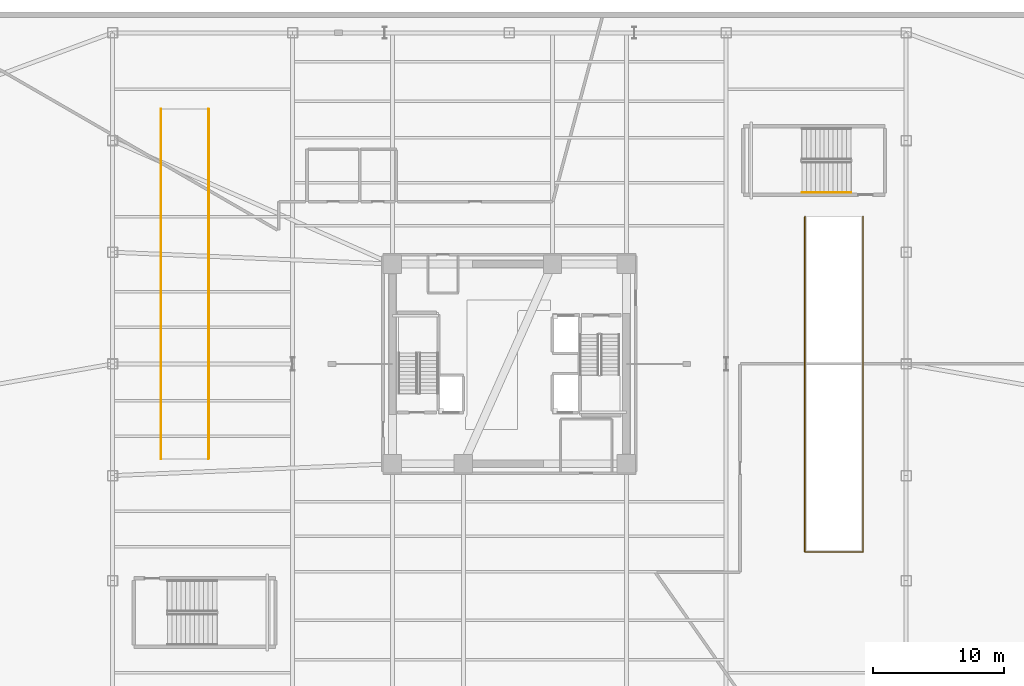
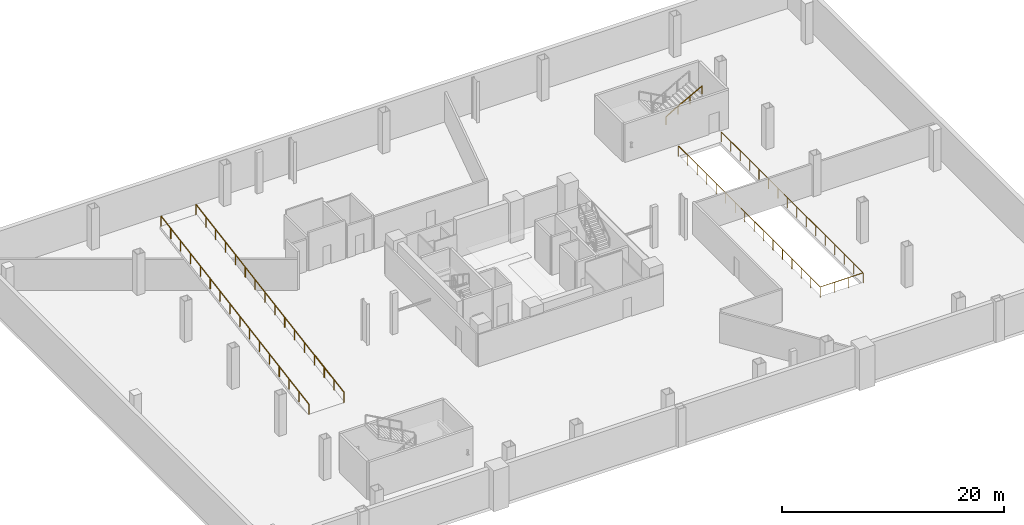
# One storey, part 13 of 14: 4 railings.
"""IFC4 building model written with IfcOpenShell, lengths in metres."""

from ifc_helpers import new_model, si_unit, direction, frame, origin, origin_2d, place, context, subcontext, project, spatial, rectangle, extrude, material, type_object, element, save


model = new_model("IFC4")

# Units and contexts
model_context = context("Model", 3, precision=1e-05, world=origin(), true_north=direction((0.0, 1.0)))
body_context = subcontext(model_context, "Body", "Model", "MODEL_VIEW")
ifc_project = project(units=[si_unit("LENGTHUNIT", "METRE"), si_unit("AREAUNIT", "SQUARE_METRE"), si_unit("VOLUMEUNIT", "CUBIC_METRE"), si_unit("PLANEANGLEUNIT", "RADIAN"), si_unit("MASSUNIT", "GRAM", prefix="KILO")], contexts=[model_context])

# Site, building, storey
site_placement = place(None, origin())
site = spatial("IfcSite", under=ifc_project, at=site_placement, CompositionType="ELEMENT")
building_placement = place(site_placement, origin())
building = spatial("IfcBuilding", under=site, at=building_placement, Name="Tharavind Bronze Gate", CompositionType="ELEMENT")
storey_placement = place(building_placement, frame((0.0, 0.0, -4.5)))
storey = spatial("IfcBuildingStorey", under=building, at=storey_placement, Name="B01", CompositionType="ELEMENT", Elevation=-4.5)

# Railings
ifc_material_1 = material(Name="Brushed Bronze Alloy", Category="metal")
railing_type_1 = type_object("IfcRailingType", Name="STAIR BRONZE HANDRAIL 900", PredefinedType="HANDRAIL", material=ifc_material_1)
railing_1_placement = place(storey_placement, frame((22.260009765625, 13.050048828125, 2.4375)))
element("IfcRailing", 1, at=railing_1_placement, inside=storey, type_object=railing_type_1, Name="B01 ST4 stair handrail 2", PredefinedType="HANDRAIL", context=body_context, shape_type="SweptSolid", body=[
    extrude(rectangle(XDim=0.048095703125, YDim=0.048095703125, at=origin_2d()), frame((0.028076171875, 0.0, 0.891357421875), z_axis=(0.875671045107, 0.0, 0.482908087281), x_axis=(0.0, 1.0, 0.0)), (0.0, 0.0, 1.0), 4.20703125),
    extrude(rectangle(XDim=0.0400390625, YDim=0.0400390625, at=origin_2d()), origin(), (0.0, 0.0, 1.0), 0.847900390625),
    extrude(rectangle(XDim=0.0400390625, YDim=0.0400390625, at=origin_2d()), frame((1.24658203125, 0.0, 0.6875)), (0.0, 0.0, 1.0), 0.847900390625),
    extrude(rectangle(XDim=0.0400390625, YDim=0.0400390625, at=origin_2d()), frame((2.493408203125, 0.0, 1.375)), (0.0, 0.0, 1.0), 0.847900390625),
    extrude(rectangle(XDim=0.0400390625, YDim=0.0400390625, at=origin_2d()), frame((3.739990234375, 0.0, 2.0625)), (0.0, 0.0, 1.0), 0.847900390625),
])
ifc_material_2 = material(Name="Bronze Cap & Laminated Glass", Category="glass")
railing_type_2 = type_object("IfcRailingType", Name="TERRACE GLASS GUARD RAILING 1150", PredefinedType="GUARDRAIL", material=ifc_material_2)
railing_2_placement = place(storey_placement, frame((-26.52001953125, -7.219970703125, 0.0)))
element("IfcRailing", 2, at=railing_2_placement, inside=storey, type_object=railing_type_2, Name="Service ramp R1 west flight guard railing", PredefinedType="GUARDRAIL", context=body_context, shape_type="SweptSolid", body=[
    extrude(rectangle(XDim=0.048095703125, YDim=0.048095703125, at=origin_2d()), frame((0.0, 0.031494140625, 1.131103515625), z_axis=(0.0, 0.986010739245, 0.166681798925), x_axis=(-1.0, 0.0, 0.0)), (0.0, 0.0, 1.0), 26.93359375),
    extrude(rectangle(XDim=0.0400390625, YDim=0.0400390625, at=origin_2d()), origin(), (0.0, 0.0, 1.0), 1.097900390625),
    extrude(rectangle(XDim=0.0400390625, YDim=0.0400390625, at=origin_2d()), frame((0.0, 1.774658203125, 0.300048828125)), (0.0, 0.0, 1.0), 1.097900390625),
    extrude(rectangle(XDim=0.0400390625, YDim=0.0400390625, at=origin_2d()), frame((0.0, 3.54931640625, 0.60009765625)), (0.0, 0.0, 1.0), 1.097900390625),
    extrude(rectangle(XDim=0.0400390625, YDim=0.0400390625, at=origin_2d()), frame((0.0, 5.323974609375, 0.89990234375)), (0.0, 0.0, 1.0), 1.097900390625),
    extrude(rectangle(XDim=0.0400390625, YDim=0.0400390625, at=origin_2d()), frame((0.0, 7.0986328125, 1.199951171875)), (0.0, 0.0, 1.0), 1.097900390625),
    extrude(rectangle(XDim=0.0400390625, YDim=0.0400390625, at=origin_2d()), frame((0.0, 8.873291015625, 1.5)), (0.0, 0.0, 1.0), 1.097900390625),
    extrude(rectangle(XDim=0.0400390625, YDim=0.0400390625, at=origin_2d()), frame((0.0, 10.64794921875, 1.800048828125)), (0.0, 0.0, 1.0), 1.097900390625),
    extrude(rectangle(XDim=0.0400390625, YDim=0.0400390625, at=origin_2d()), frame((0.0, 12.422607421875, 2.10009765625)), (0.0, 0.0, 1.0), 1.097900390625),
    extrude(rectangle(XDim=0.0400390625, YDim=0.0400390625, at=origin_2d()), frame((0.0, 14.197265625, 2.39990234375)), (0.0, 0.0, 1.0), 1.097900390625),
    extrude(rectangle(XDim=0.0400390625, YDim=0.0400390625, at=origin_2d()), frame((0.0, 15.971923828125, 2.699951171875)), (0.0, 0.0, 1.0), 1.097900390625),
    extrude(rectangle(XDim=0.0400390625, YDim=0.0400390625, at=origin_2d()), frame((0.0, 17.74658203125, 3.0)), (0.0, 0.0, 1.0), 1.097900390625),
    extrude(rectangle(XDim=0.0400390625, YDim=0.0400390625, at=origin_2d()), frame((0.0, 19.521240234375, 3.300048828125)), (0.0, 0.0, 1.0), 1.097900390625),
    extrude(rectangle(XDim=0.0400390625, YDim=0.0400390625, at=origin_2d()), frame((0.0, 21.2958984375, 3.60009765625)), (0.0, 0.0, 1.0), 1.097900390625),
    extrude(rectangle(XDim=0.0400390625, YDim=0.0400390625, at=origin_2d()), frame((0.0, 23.070556640625, 3.89990234375)), (0.0, 0.0, 1.0), 1.097900390625),
    extrude(rectangle(XDim=0.0400390625, YDim=0.0400390625, at=origin_2d()), frame((0.0, 24.84521484375, 4.199951171875)), (0.0, 0.0, 1.0), 1.097900390625),
    extrude(rectangle(XDim=0.0400390625, YDim=0.0400390625, at=origin_2d()), frame((0.0, 26.619873046875, 4.5)), (0.0, 0.0, 1.0), 1.097900390625),
])
railing_3_placement = place(storey_placement, frame((-22.8798828125, -7.219970703125, 0.0)))
element("IfcRailing", 3, at=railing_3_placement, inside=storey, type_object=railing_type_2, Name="Service ramp R1 east flight guard railing", PredefinedType="GUARDRAIL", context=body_context, shape_type="SweptSolid", body=[
    extrude(rectangle(XDim=0.048095703125, YDim=0.048095703125, at=origin_2d()), frame((0.0, 0.031494140625, 1.131103515625), z_axis=(0.0, 0.986010739245, 0.166681798925), x_axis=(-1.0, 0.0, 0.0)), (0.0, 0.0, 1.0), 26.93359375),
    extrude(rectangle(XDim=0.0400390625, YDim=0.0400390625, at=origin_2d()), origin(), (0.0, 0.0, 1.0), 1.097900390625),
    extrude(rectangle(XDim=0.0400390625, YDim=0.0400390625, at=origin_2d()), frame((0.0, 1.774658203125, 0.300048828125)), (0.0, 0.0, 1.0), 1.097900390625),
    extrude(rectangle(XDim=0.0400390625, YDim=0.0400390625, at=origin_2d()), frame((0.0, 3.54931640625, 0.60009765625)), (0.0, 0.0, 1.0), 1.097900390625),
    extrude(rectangle(XDim=0.0400390625, YDim=0.0400390625, at=origin_2d()), frame((0.0, 5.323974609375, 0.89990234375)), (0.0, 0.0, 1.0), 1.097900390625),
    extrude(rectangle(XDim=0.0400390625, YDim=0.0400390625, at=origin_2d()), frame((0.0, 7.0986328125, 1.199951171875)), (0.0, 0.0, 1.0), 1.097900390625),
    extrude(rectangle(XDim=0.0400390625, YDim=0.0400390625, at=origin_2d()), frame((0.0, 8.873291015625, 1.5)), (0.0, 0.0, 1.0), 1.097900390625),
    extrude(rectangle(XDim=0.0400390625, YDim=0.0400390625, at=origin_2d()), frame((0.0, 10.64794921875, 1.800048828125)), (0.0, 0.0, 1.0), 1.097900390625),
    extrude(rectangle(XDim=0.0400390625, YDim=0.0400390625, at=origin_2d()), frame((0.0, 12.422607421875, 2.10009765625)), (0.0, 0.0, 1.0), 1.097900390625),
    extrude(rectangle(XDim=0.0400390625, YDim=0.0400390625, at=origin_2d()), frame((0.0, 14.197265625, 2.39990234375)), (0.0, 0.0, 1.0), 1.097900390625),
    extrude(rectangle(XDim=0.0400390625, YDim=0.0400390625, at=origin_2d()), frame((0.0, 15.971923828125, 2.699951171875)), (0.0, 0.0, 1.0), 1.097900390625),
    extrude(rectangle(XDim=0.0400390625, YDim=0.0400390625, at=origin_2d()), frame((0.0, 17.74658203125, 3.0)), (0.0, 0.0, 1.0), 1.097900390625),
    extrude(rectangle(XDim=0.0400390625, YDim=0.0400390625, at=origin_2d()), frame((0.0, 19.521240234375, 3.300048828125)), (0.0, 0.0, 1.0), 1.097900390625),
    extrude(rectangle(XDim=0.0400390625, YDim=0.0400390625, at=origin_2d()), frame((0.0, 21.2958984375, 3.60009765625)), (0.0, 0.0, 1.0), 1.097900390625),
    extrude(rectangle(XDim=0.0400390625, YDim=0.0400390625, at=origin_2d()), frame((0.0, 23.070556640625, 3.89990234375)), (0.0, 0.0, 1.0), 1.097900390625),
    extrude(rectangle(XDim=0.0400390625, YDim=0.0400390625, at=origin_2d()), frame((0.0, 24.84521484375, 4.199951171875)), (0.0, 0.0, 1.0), 1.097900390625),
    extrude(rectangle(XDim=0.0400390625, YDim=0.0400390625, at=origin_2d()), frame((0.0, 26.619873046875, 4.5)), (0.0, 0.0, 1.0), 1.097900390625),
])
railing_4_placement = place(storey_placement, frame((22.47998046875, 11.199951171875, 0.0)))
element("IfcRailing", 4, at=railing_4_placement, inside=storey, type_object=railing_type_2, Name="B01 plant ramp well perimeter guard railing", PredefinedType="GUARDRAIL", context=body_context, shape_type="SweptSolid", body=[
    extrude(rectangle(XDim=0.048095703125, YDim=0.048095703125, at=origin_2d()), frame((0.0, -0.031982421875, 1.1259765625), z_axis=(0.0, -1.0, 0.0), x_axis=(1.0, 0.0, 0.0)), (0.0, 0.0, 1.0), 25.4560546875),
    extrude(rectangle(XDim=0.048095703125, YDim=0.048095703125, at=origin_2d()), frame((0.031982421875, -25.52001953125, 1.1259765625), z_axis=(1.0, 0.0, 0.0), x_axis=(0.0, 1.0, 0.0)), (0.0, 0.0, 1.0), 4.3759765625),
    extrude(rectangle(XDim=0.048095703125, YDim=0.048095703125, at=origin_2d()), frame((4.43994140625, -25.488037109375, 1.1259765625), z_axis=(0.0, 1.0, 0.0), x_axis=(-1.0, 0.0, 0.0)), (0.0, 0.0, 1.0), 25.4560546875),
    extrude(rectangle(XDim=0.0400390625, YDim=0.0400390625, at=origin_2d()), origin(), (0.0, 0.0, 1.0), 1.097900390625),
    extrude(rectangle(XDim=0.0400390625, YDim=0.0400390625, at=origin_2d()), frame((0.0, -1.701416015625, 0.0)), (0.0, 0.0, 1.0), 1.097900390625),
    extrude(rectangle(XDim=0.0400390625, YDim=0.0400390625, at=origin_2d()), frame((0.0, -3.402587890625, 0.0)), (0.0, 0.0, 1.0), 1.097900390625),
    extrude(rectangle(XDim=0.0400390625, YDim=0.0400390625, at=origin_2d()), frame((0.0, -5.10400390625, 0.0)), (0.0, 0.0, 1.0), 1.097900390625),
    extrude(rectangle(XDim=0.0400390625, YDim=0.0400390625, at=origin_2d()), frame((0.0, -6.805419921875, 0.0)), (0.0, 0.0, 1.0), 1.097900390625),
    extrude(rectangle(XDim=0.0400390625, YDim=0.0400390625, at=origin_2d()), frame((0.0, -8.506591796875, 0.0)), (0.0, 0.0, 1.0), 1.097900390625),
    extrude(rectangle(XDim=0.0400390625, YDim=0.0400390625, at=origin_2d()), frame((0.0, -10.2080078125, 0.0)), (0.0, 0.0, 1.0), 1.097900390625),
    extrude(rectangle(XDim=0.0400390625, YDim=0.0400390625, at=origin_2d()), frame((0.0, -11.909423828125, 0.0)), (0.0, 0.0, 1.0), 1.097900390625),
    extrude(rectangle(XDim=0.0400390625, YDim=0.0400390625, at=origin_2d()), frame((0.0, -13.610595703125, 0.0)), (0.0, 0.0, 1.0), 1.097900390625),
    extrude(rectangle(XDim=0.0400390625, YDim=0.0400390625, at=origin_2d()), frame((0.0, -15.31201171875, 0.0)), (0.0, 0.0, 1.0), 1.097900390625),
    extrude(rectangle(XDim=0.0400390625, YDim=0.0400390625, at=origin_2d()), frame((0.0, -17.013427734375, 0.0)), (0.0, 0.0, 1.0), 1.097900390625),
    extrude(rectangle(XDim=0.0400390625, YDim=0.0400390625, at=origin_2d()), frame((0.0, -18.714599609375, 0.0)), (0.0, 0.0, 1.0), 1.097900390625),
    extrude(rectangle(XDim=0.0400390625, YDim=0.0400390625, at=origin_2d()), frame((0.0, -20.416015625, 0.0)), (0.0, 0.0, 1.0), 1.097900390625),
    extrude(rectangle(XDim=0.0400390625, YDim=0.0400390625, at=origin_2d()), frame((0.0, -22.117431640625, 0.0)), (0.0, 0.0, 1.0), 1.097900390625),
    extrude(rectangle(XDim=0.0400390625, YDim=0.0400390625, at=origin_2d()), frame((0.0, -23.818603515625, 0.0)), (0.0, 0.0, 1.0), 1.097900390625),
    extrude(rectangle(XDim=0.0400390625, YDim=0.0400390625, at=origin_2d()), frame((0.0, -25.52001953125, 0.0)), (0.0, 0.0, 1.0), 1.097900390625),
    extrude(rectangle(XDim=0.0400390625, YDim=0.0400390625, at=origin_2d()), frame((1.47998046875, -25.52001953125, 0.0)), (0.0, 0.0, 1.0), 1.097900390625),
    extrude(rectangle(XDim=0.0400390625, YDim=0.0400390625, at=origin_2d()), frame((2.9599609375, -25.52001953125, 0.0)), (0.0, 0.0, 1.0), 1.097900390625),
    extrude(rectangle(XDim=0.0400390625, YDim=0.0400390625, at=origin_2d()), frame((4.43994140625, -25.52001953125, 0.0)), (0.0, 0.0, 1.0), 1.097900390625),
    extrude(rectangle(XDim=0.0400390625, YDim=0.0400390625, at=origin_2d()), frame((4.43994140625, -23.818603515625, 0.0)), (0.0, 0.0, 1.0), 1.097900390625),
    extrude(rectangle(XDim=0.0400390625, YDim=0.0400390625, at=origin_2d()), frame((4.43994140625, -22.117431640625, 0.0)), (0.0, 0.0, 1.0), 1.097900390625),
    extrude(rectangle(XDim=0.0400390625, YDim=0.0400390625, at=origin_2d()), frame((4.43994140625, -20.416015625, 0.0)), (0.0, 0.0, 1.0), 1.097900390625),
    extrude(rectangle(XDim=0.0400390625, YDim=0.0400390625, at=origin_2d()), frame((4.43994140625, -18.714599609375, 0.0)), (0.0, 0.0, 1.0), 1.097900390625),
    extrude(rectangle(XDim=0.0400390625, YDim=0.0400390625, at=origin_2d()), frame((4.43994140625, -17.013427734375, 0.0)), (0.0, 0.0, 1.0), 1.097900390625),
    extrude(rectangle(XDim=0.0400390625, YDim=0.0400390625, at=origin_2d()), frame((4.43994140625, -15.31201171875, 0.0)), (0.0, 0.0, 1.0), 1.097900390625),
    extrude(rectangle(XDim=0.0400390625, YDim=0.0400390625, at=origin_2d()), frame((4.43994140625, -13.610595703125, 0.0)), (0.0, 0.0, 1.0), 1.097900390625),
    extrude(rectangle(XDim=0.0400390625, YDim=0.0400390625, at=origin_2d()), frame((4.43994140625, -11.909423828125, 0.0)), (0.0, 0.0, 1.0), 1.097900390625),
    extrude(rectangle(XDim=0.0400390625, YDim=0.0400390625, at=origin_2d()), frame((4.43994140625, -10.2080078125, 0.0)), (0.0, 0.0, 1.0), 1.097900390625),
    extrude(rectangle(XDim=0.0400390625, YDim=0.0400390625, at=origin_2d()), frame((4.43994140625, -8.506591796875, 0.0)), (0.0, 0.0, 1.0), 1.097900390625),
    extrude(rectangle(XDim=0.0400390625, YDim=0.0400390625, at=origin_2d()), frame((4.43994140625, -6.805419921875, 0.0)), (0.0, 0.0, 1.0), 1.097900390625),
    extrude(rectangle(XDim=0.0400390625, YDim=0.0400390625, at=origin_2d()), frame((4.43994140625, -5.10400390625, 0.0)), (0.0, 0.0, 1.0), 1.097900390625),
    extrude(rectangle(XDim=0.0400390625, YDim=0.0400390625, at=origin_2d()), frame((4.43994140625, -3.402587890625, 0.0)), (0.0, 0.0, 1.0), 1.097900390625),
    extrude(rectangle(XDim=0.0400390625, YDim=0.0400390625, at=origin_2d()), frame((4.43994140625, -1.701416015625, 0.0)), (0.0, 0.0, 1.0), 1.097900390625),
    extrude(rectangle(XDim=0.0400390625, YDim=0.0400390625, at=origin_2d()), frame((4.43994140625, 0.0, 0.0)), (0.0, 0.0, 1.0), 1.097900390625),
])

save(model, "model.ifc")
